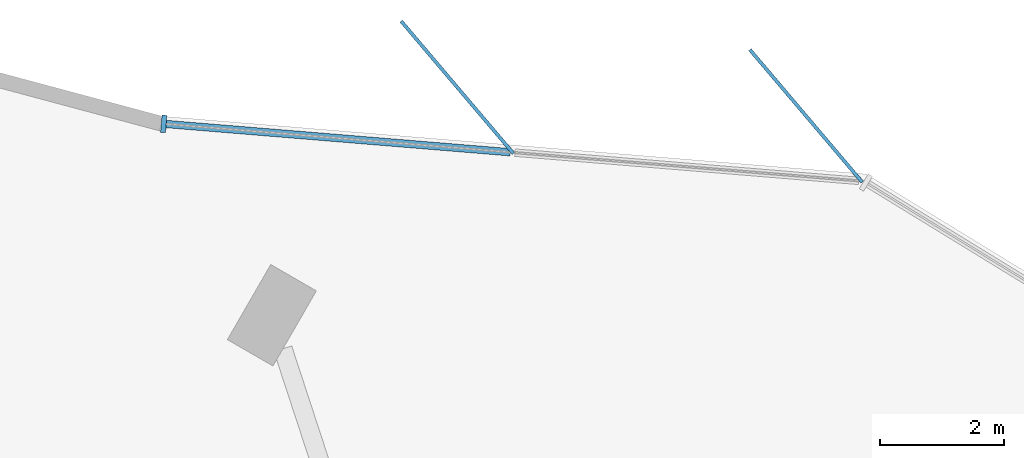
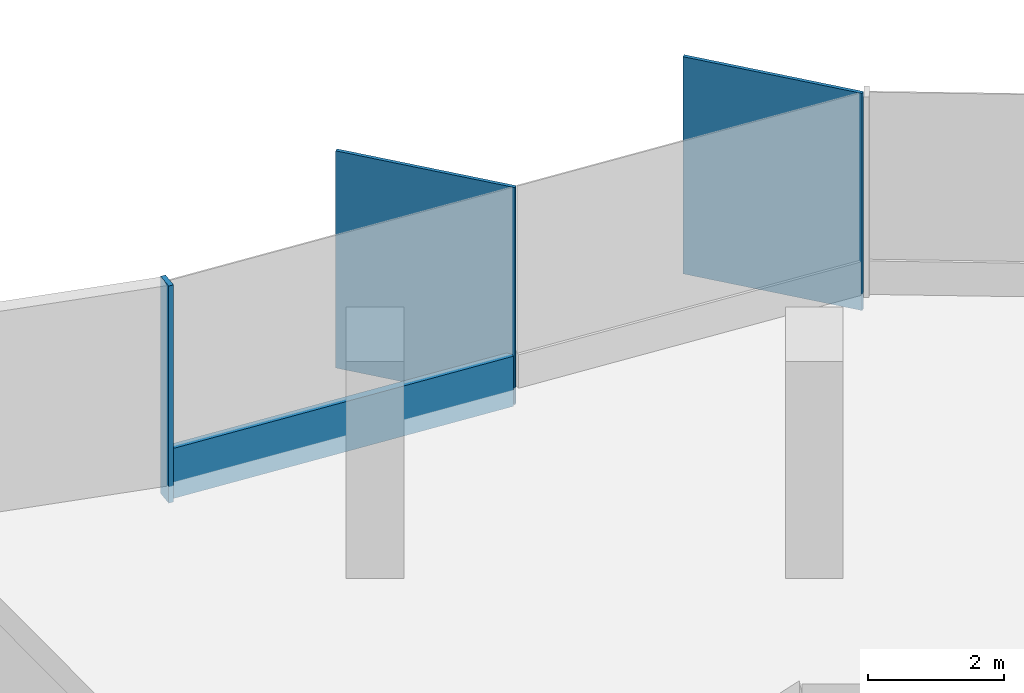
# One storey, part 6 of 13: 4 members, 1 element without a shape of its own.
"""IFC4 building model written with IfcOpenShell, lengths in metres."""

from ifc_helpers import new_model, si_unit, direction, frame, origin, origin_2d, place, context, subcontext, project, spatial, rectangle, extrude, material, material_profile, profile_set, type_object, element, aggregate, save


model = new_model("IFC4")

# Units and contexts
model_context = context("Model", 3, precision=1e-05, world=origin(), true_north=direction((0.0, 1.0)))
body_context = subcontext(model_context, "Body", "Model", "MODEL_VIEW")
ifc_project = project(units=[si_unit("LENGTHUNIT", "METRE"), si_unit("AREAUNIT", "SQUARE_METRE"), si_unit("VOLUMEUNIT", "CUBIC_METRE"), si_unit("PLANEANGLEUNIT", "RADIAN"), si_unit("MASSUNIT", "GRAM", prefix="KILO")], contexts=[model_context])

# Site, building, storey
site_placement = place(None, origin())
site = spatial("IfcSite", under=ifc_project, at=site_placement, CompositionType="ELEMENT")
building_placement = place(site_placement, origin())
building = spatial("IfcBuilding", under=site, at=building_placement, Name="Tanit Gate Tower", CompositionType="ELEMENT")
storey_placement = place(building_placement, frame((0.0, 0.0, 329.89990234375)))
storey = spatial("IfcBuildingStorey", under=building, at=storey_placement, Name="L74", CompositionType="ELEMENT", Elevation=329.89990234375)

# Curtain wall, members
ifc_material_1 = material(Name="Aluminium bronze anodised and glass", Category="aluminium")
curtain_wall_type = type_object("IfcCurtainWallType", Name="Curtain wall typical high", PredefinedType="NOTDEFINED", material=ifc_material_1)
curtain_wall_placement = place(storey_placement, origin())
curtain_wall = element("IfcCurtainWall", 1, at=curtain_wall_placement, inside=storey, type_object=curtain_wall_type, Name="Curtain wall L74 NE3", PredefinedType="NOTDEFINED")
ifc_material_2 = material(Name="Aluminium bronze anodised", Category="aluminium")
ifc_material_profile_1 = material_profile(ifc_material_2, rectangle(XDim=2.800048828125, YDim=0.055908203125, at=origin_2d()), Name="56x2800 bronze fin mullion")
ifc_profile_set_1 = profile_set([ifc_material_profile_1], Name="Aluminium bronze anodised")
member_type_1 = type_object("IfcMemberType", Name="FIN MULLION 56x2800 bronze", PredefinedType="MULLION", material=ifc_profile_set_1)
member_1_placement = place(storey_placement, frame((-0.837646484375, 32.079345703125, -0.2998046875), z_axis=(0.0, 0.0, 1.0), x_axis=(0.646872821533, -0.762597897166, 0.0)))
member_1 = element("IfcMember", 2, at=member_1_placement, type_object=member_type_1, Name="Fin mullion L74 NE3.1", PredefinedType="MULLION", context=body_context, shape_type="SweptSolid", body=[
    extrude(rectangle(XDim=2.800048828125, YDim=0.055908203125, at=origin_2d()), origin(), (0.0, 0.0, 1.0), 3.89990234375),
])
member_2_placement = place(storey_placement, frame((-6.46826171875, 32.54150390625, -0.2998046875), z_axis=(0.0, 0.0, 1.0), x_axis=(0.646872821533, -0.762597897166, 0.0)))
member_2 = element("IfcMember", 3, at=member_2_placement, type_object=member_type_1, Name="Fin mullion L74 NE3.2", PredefinedType="MULLION", context=body_context, shape_type="SweptSolid", body=[
    extrude(rectangle(XDim=2.800048828125, YDim=0.055908203125, at=origin_2d()), origin(), (0.0, 0.0, 1.0), 3.89990234375),
])
ifc_material_3 = material(Name="Aluminium bronze anodised", Category="aluminium")
ifc_material_profile_2 = material_profile(ifc_material_3, rectangle(XDim=0.280029296875, YDim=0.080078125, at=origin_2d()), Name="80x280 bronze mullion")
ifc_profile_set_2 = profile_set([ifc_material_profile_2], Name="Aluminium bronze anodised")
member_type_2 = type_object("IfcMemberType", Name="Mullion 80x280 typical high", PredefinedType="MULLION", material=ifc_profile_set_2)
member_3_placement = place(storey_placement, frame((-11.2060546875, 31.951171875, -0.2998046875), z_axis=(0.0, 0.0, 1.0), x_axis=(-0.081829985733, -0.996646303076, 0.0)))
member_3 = element("IfcMember", 4, at=member_3_placement, type_object=member_type_2, Name="Mullion L74 NE3.3", PredefinedType="MULLION", context=body_context, shape_type="SweptSolid", body=[
    extrude(rectangle(XDim=0.280029296875, YDim=0.080078125, at=origin_2d()), origin(), (0.0, 0.0, 1.0), 3.89990234375),
])
ifc_material_4 = material(Name="Aluminium bronze anodised", Category="aluminium")
ifc_material_profile_3 = material_profile(ifc_material_4, rectangle(XDim=0.1201171875, YDim=0.89990234375, at=origin_2d()), Name="120x900 bronze transom")
ifc_profile_set_3 = profile_set([ifc_material_profile_3], Name="Aluminium bronze anodised")
member_type_3 = type_object("IfcMemberType", Name="Transom 120x900 typical high", PredefinedType="USERDEFINED", material=ifc_profile_set_3)
member_4_placement = place(storey_placement, frame((-5.615234375, 31.4921875, 0.150146484375), z_axis=(-0.996645398744, 0.081840999272, 0.0), x_axis=(-0.081840999272, -0.996645398744, 0.0)))
member_4 = element("IfcMember", 5, at=member_4_placement, type_object=member_type_3, Name="Transom L74 NE3.2", ObjectType="TRANSOM", PredefinedType="USERDEFINED", context=body_context, shape_type="SweptSolid", body=[
    extrude(rectangle(XDim=0.1201171875, YDim=0.89990234375, at=origin_2d()), origin(), (0.0, 0.0, 1.0), 5.569580078125),
])
aggregate(curtain_wall, [member_1, member_2, member_3, member_4])

save(model, "model.ifc")
